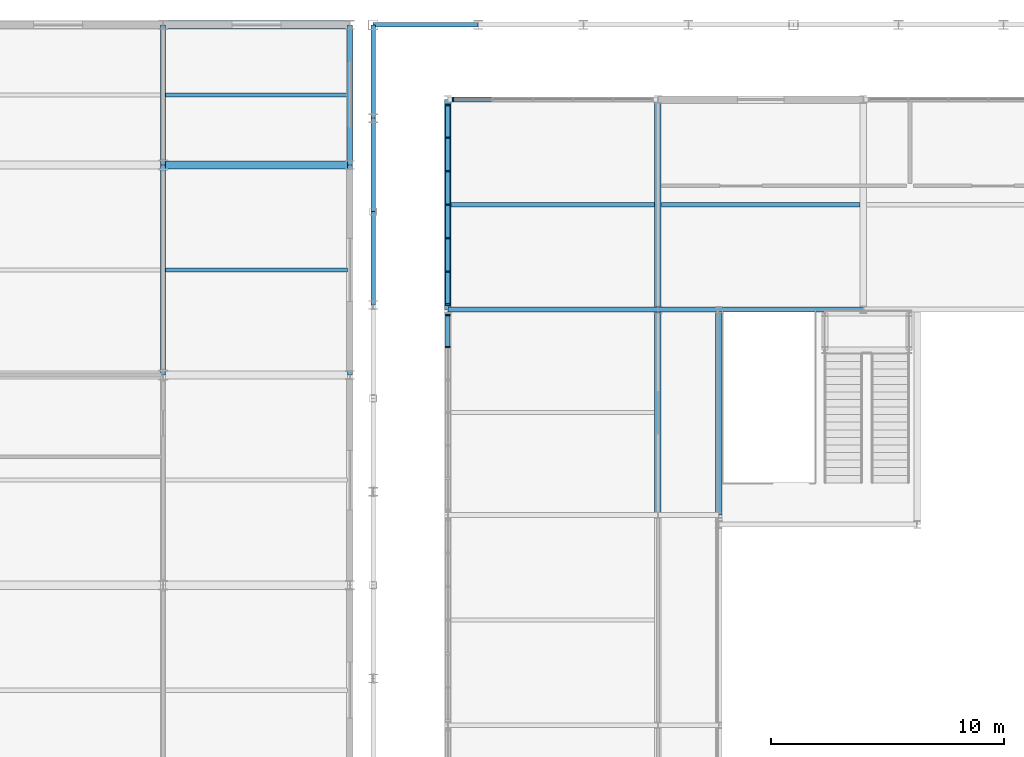
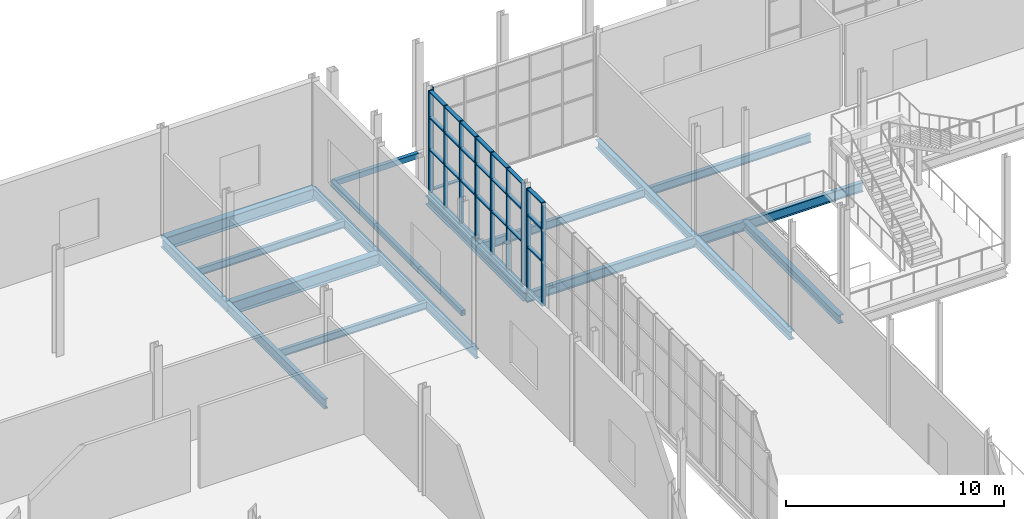
# One storey, part 58 of 159: 39 members, 20 beams, 3 elements without a shape of their own.
"""IFC4 building model written with IfcOpenShell, lengths in metres."""

from ifc_helpers import new_model, si_unit, direction, frame, origin, origin_2d, place, context, subcontext, project, spatial, rectangle, hollow_rectangle, i_section, extrude, material, layer, layer_set, material_profile, profile_set, type_object, element, aggregate, save


model = new_model("IFC4")

# Units and contexts
model_context = context("Model", 3, precision=1e-05, world=origin(), true_north=direction((0.0, 1.0)))
body_context = subcontext(model_context, "Body", "Model", "MODEL_VIEW")
ifc_project = project(units=[si_unit("LENGTHUNIT", "METRE"), si_unit("AREAUNIT", "SQUARE_METRE"), si_unit("VOLUMEUNIT", "CUBIC_METRE"), si_unit("PLANEANGLEUNIT", "RADIAN"), si_unit("MASSUNIT", "GRAM", prefix="KILO")], contexts=[model_context])

# Site, building, storey
site_placement = place(None, origin())
site = spatial("IfcSite", under=ifc_project, at=site_placement, CompositionType="ELEMENT")
building_placement = place(site_placement, origin())
building = spatial("IfcBuilding", under=site, at=building_placement, Name="Cazmaro Siding Exhibition Halls", CompositionType="ELEMENT")
storey_placement = place(building_placement, frame((0.0, 0.0, 6.0)))
storey = spatial("IfcBuildingStorey", under=building, at=storey_placement, Name="L01", CompositionType="ELEMENT", Elevation=6.0)

# Beams
ifc_material_1 = material(Name="Steel ASTM A992 Grade 50", Category="steel")
ifc_material_profile_1 = material_profile(ifc_material_1, i_section(OverallWidth=0.214111328125, OverallDepth=0.549072265625, WebThickness=0.014892578125, FlangeThickness=0.02392578125, at=origin_2d()), Name="W21X93")
ifc_profile_set_1 = profile_set([ifc_material_profile_1], Name="Steel ASTM A992 Grade 50")
beam_type_1 = type_object("IfcBeamType", Name="B-01", PredefinedType="BEAM", material=ifc_profile_set_1)
beam_1_placement = place(storey_placement, frame((36.0, 109.0, -0.493896484375), z_axis=(0.0, 1.0, 0.0), x_axis=(-1.0, 0.0, 0.0)))
element("IfcBeam", 1, at=beam_1_placement, inside=storey, type_object=beam_type_1, Name="Beam B-01 BM-2032", PredefinedType="BEAM", context=body_context, shape_type="SweptSolid", body=[
    extrude(i_section(OverallWidth=0.214111328125, OverallDepth=0.549072265625, WebThickness=0.014892578125, FlangeThickness=0.02392578125, at=origin_2d()), origin(), (0.0, 0.0, 1.0), 9.0),
])
beam_2_placement = place(storey_placement, frame((36.0, 118.0, -0.493896484375), z_axis=(0.0, 1.0, 0.0), x_axis=(-1.0, 0.0, 0.0)))
element("IfcBeam", 2, at=beam_2_placement, inside=storey, type_object=beam_type_1, Name="Beam B-01 BM-2033", PredefinedType="BEAM", context=body_context, shape_type="SweptSolid", body=[
    extrude(i_section(OverallWidth=0.214111328125, OverallDepth=0.549072265625, WebThickness=0.014892578125, FlangeThickness=0.02392578125, at=origin_2d()), origin(), (0.0, 0.0, 1.0), 6.0),
])
ifc_material_2 = material(Name="Steel ASTM A992 Grade 50", Category="steel")
ifc_material_profile_2 = material_profile(ifc_material_2, i_section(OverallWidth=0.2099609375, OverallDepth=0.535888671875, WebThickness=0.010986328125, FlangeThickness=0.01708984375, at=origin_2d()), Name="W21X68")
ifc_profile_set_2 = profile_set([ifc_material_profile_2], Name="Steel ASTM A992 Grade 50")
beam_type_2 = type_object("IfcBeamType", Name="B-02", PredefinedType="BEAM", material=ifc_profile_set_2)
beam_3_placement = place(storey_placement, frame((48.199951171875, 111.800048828125, -0.488037109375), z_axis=(1.0, 0.0, 0.0), x_axis=(0.0, 1.0, 0.0)))
element("IfcBeam", 3, at=beam_3_placement, inside=storey, type_object=beam_type_2, Name="Beam B-02 BM-0261", PredefinedType="BEAM", context=body_context, shape_type="SweptSolid", body=[
    extrude(i_section(OverallWidth=0.2099609375, OverallDepth=0.535888671875, WebThickness=0.010986328125, FlangeThickness=0.01708984375, at=origin_2d()), origin(), (0.0, 0.0, 1.0), 9.0),
])
beam_4_placement = place(storey_placement, frame((57.199951171875, 111.800048828125, -0.488037109375), z_axis=(1.0, 0.0, 0.0), x_axis=(0.0, 1.0, 0.0)))
element("IfcBeam", 4, at=beam_4_placement, inside=storey, type_object=beam_type_2, Name="Beam B-02 BM-0264", PredefinedType="BEAM", context=body_context, shape_type="SweptSolid", body=[
    extrude(i_section(OverallWidth=0.2099609375, OverallDepth=0.535888671875, WebThickness=0.010986328125, FlangeThickness=0.01708984375, at=origin_2d()), origin(), (0.0, 0.0, 1.0), 8.800048828125),
])
beam_5_placement = place(storey_placement, frame((44.0, 109.0, -0.488037109375), z_axis=(0.0, 1.0, 0.0), x_axis=(-1.0, 0.0, 0.0)))
element("IfcBeam", 5, at=beam_5_placement, inside=storey, type_object=beam_type_2, Name="Beam B-02 BM-2046", PredefinedType="BEAM", context=body_context, shape_type="SweptSolid", body=[
    extrude(i_section(OverallWidth=0.2099609375, OverallDepth=0.535888671875, WebThickness=0.010986328125, FlangeThickness=0.01708984375, at=origin_2d()), origin(), (0.0, 0.0, 1.0), 9.0),
])
beam_6_placement = place(storey_placement, frame((44.0, 118.0, -0.488037109375), z_axis=(0.0, 1.0, 0.0), x_axis=(-1.0, 0.0, 0.0)))
element("IfcBeam", 6, at=beam_6_placement, inside=storey, type_object=beam_type_2, Name="Beam B-02 BM-2048", PredefinedType="BEAM", context=body_context, shape_type="SweptSolid", body=[
    extrude(i_section(OverallWidth=0.2099609375, OverallDepth=0.535888671875, WebThickness=0.010986328125, FlangeThickness=0.01708984375, at=origin_2d()), origin(), (0.0, 0.0, 1.0), 6.0),
])
ifc_material_3 = material(Name="Steel ASTM A992 Grade 50", Category="steel")
ifc_material_profile_3 = material_profile(ifc_material_3, i_section(OverallWidth=0.279052734375, OverallDepth=0.4619140625, WebThickness=0.010986328125, FlangeThickness=0.01708984375, at=origin_2d()), Name="W18X76")
ifc_profile_set_3 = profile_set([ifc_material_profile_3], Name="Steel ASTM A992 Grade 50")
beam_type_3 = type_object("IfcBeamType", Name="B-03", PredefinedType="BEAM", material=ifc_profile_set_3)
for number, where, z_axis, x_axis, name in (
    (7, (48.199951171875, 111.800048828125, -0.450927734375), (0.0, 1.0, 0.0), (-1.0, 0.0, 0.0), "Beam B-03 BM-0300"),
    (8, (57.199951171875, 111.800048828125, -0.450927734375), (0.0, 1.0, 0.0), (-1.0, 0.0, 0.0), "Beam B-03 BM-0301"),
):
    element("IfcBeam", number, at=place(storey_placement, frame(where, z_axis=z_axis, x_axis=x_axis)), inside=storey, type_object=beam_type_3, Name=name, PredefinedType="BEAM", context=body_context, shape_type="SweptSolid", body=[
        extrude(i_section(OverallWidth=0.279052734375, OverallDepth=0.4619140625, WebThickness=0.010986328125, FlangeThickness=0.01708984375, at=origin_2d()), origin(), (0.0, 0.0, 1.0), 9.0),
    ])
for number, where, z_axis, x_axis, name in (
    (9, (57.199951171875, 103.0, -0.450927734375), (0.0, 1.0, 0.0), (-1.0, 0.0, 0.0), "Beam B-03 BM-0362"),
    (10, (59.800048828125, 103.0, -0.450927734375), (0.0, 1.0, 0.0), (-1.0, 0.0, 0.0), "Beam B-03 BM-2507"),
):
    element("IfcBeam", number, at=place(storey_placement, frame(where, z_axis=z_axis, x_axis=x_axis)), inside=storey, type_object=beam_type_3, Name=name, PredefinedType="BEAM", context=body_context, shape_type="SweptSolid", body=[
        extrude(i_section(OverallWidth=0.279052734375, OverallDepth=0.4619140625, WebThickness=0.010986328125, FlangeThickness=0.01708984375, at=origin_2d()), origin(), (0.0, 0.0, 1.0), 8.800048828125),
    ])

# Curtain wall, member
ifc_material_4 = material(Name="Anodized Bronze Aluminum and Solar-Control Low-E Glazing", Category="aluminium")
ifc_layer_1 = layer(ifc_material_4, 0.199951171875)
ifc_layer_set_1 = layer_set([ifc_layer_1], Name="Anodized Bronze Aluminum and Solar-Control Low-E Glazing")
curtain_wall_type_1 = type_object("IfcCurtainWallType", Name="CWS-02", PredefinedType="USERDEFINED", material=ifc_layer_set_1)
curtain_wall_1_placement = place(storey_placement, origin())
curtain_wall_1 = element("IfcCurtainWall", 11, at=curtain_wall_1_placement, inside=storey, type_object=curtain_wall_type_1, Name="Glazed Curtain Wall CWS-02 CW-001", ObjectType="GLAZED CURTAIN WALL", PredefinedType="USERDEFINED")
ifc_material_5 = material(Name="Anodized Bronze Extruded Aluminum", Category="aluminium")
ifc_material_profile_4 = material_profile(ifc_material_5, rectangle(XDim=0.199951171875, YDim=0.06494140625, at=origin_2d()), Name="CWM-02")
ifc_profile_set_4 = profile_set([ifc_material_profile_4], Name="Anodized Bronze Extruded Aluminum")
member_type_1 = type_object("IfcMemberType", Name="CWM-02", PredefinedType="MULLION", material=ifc_profile_set_4)
member_1_placement = place(storey_placement, frame((48.429443359375, 120.800048828125, 0.0), z_axis=(0.0, 0.0, 1.0), x_axis=(0.0, -1.0, 0.0)))
member_1 = element("IfcMember", 12, at=member_1_placement, type_object=member_type_1, Name="CWS-02 mullion 6", PredefinedType="MULLION", context=body_context, shape_type="SweptSolid", body=[
    extrude(rectangle(XDim=0.199951171875, YDim=0.06494140625, at=origin_2d()), origin(), (0.0, 0.0, 1.0), 5.780029296875),
])

# Curtain wall, members
ifc_material_6 = material(Name="Anodized Bronze Aluminum and Solar-Control Low-E Glazing", Category="aluminium")
ifc_layer_2 = layer(ifc_material_6, 0.219970703125)
ifc_layer_set_2 = layer_set([ifc_layer_2], Name="Anodized Bronze Aluminum and Solar-Control Low-E Glazing")
curtain_wall_type_2 = type_object("IfcCurtainWallType", Name="CWS-03", PredefinedType="USERDEFINED", material=ifc_layer_set_2)
curtain_wall_2_placement = place(storey_placement, origin())
curtain_wall_2 = element("IfcCurtainWall", 13, at=curtain_wall_2_placement, inside=storey, type_object=curtain_wall_type_2, Name="Glazed Curtain Wall CWS-03 CW-060", ObjectType="GLAZED CURTAIN WALL", PredefinedType="USERDEFINED")
ifc_material_7 = material(Name="Anodized Bronze Extruded Aluminum", Category="aluminium")
ifc_material_profile_5 = material_profile(ifc_material_7, rectangle(XDim=0.219970703125, YDim=0.070068359375, at=origin_2d()), Name="CWM-03")
ifc_profile_set_5 = profile_set([ifc_material_profile_5], Name="Anodized Bronze Extruded Aluminum")
member_type_2 = type_object("IfcMemberType", Name="CWM-03", PredefinedType="MULLION", material=ifc_profile_set_5)
member_2_placement = place(storey_placement, frame((48.199951171875, 111.56689453125, 0.0), z_axis=(0.0, 0.0, 1.0), x_axis=(1.0, 0.0, 0.0)))
member_2 = element("IfcMember", 14, at=member_2_placement, type_object=member_type_2, Name="CWS-03 mullion 1", PredefinedType="MULLION", context=body_context, shape_type="SweptSolid", body=[
    extrude(rectangle(XDim=0.219970703125, YDim=0.070068359375, at=origin_2d()), origin(), (0.0, 0.0, 1.0), 5.780029296875),
])
member_3_placement = place(storey_placement, frame((48.199951171875, 110.19775390625, 0.0), z_axis=(0.0, 0.0, 1.0), x_axis=(1.0, 0.0, 0.0)))
member_3 = element("IfcMember", 15, at=member_3_placement, type_object=member_type_2, Name="CWS-03 mullion 2", PredefinedType="MULLION", context=body_context, shape_type="SweptSolid", body=[
    extrude(rectangle(XDim=0.219970703125, YDim=0.070068359375, at=origin_2d()), origin(), (0.0, 0.0, 1.0), 5.780029296875),
])

curtain_wall_3_placement = place(storey_placement, origin())
curtain_wall_3 = element("IfcCurtainWall", 16, at=curtain_wall_3_placement, inside=storey, type_object=curtain_wall_type_2, Name="Glazed Curtain Wall CWS-03 CW-063", ObjectType="GLAZED CURTAIN WALL", PredefinedType="USERDEFINED")
member_4_placement = place(storey_placement, frame((48.199951171875, 120.56689453125, 0.0), z_axis=(0.0, 0.0, 1.0), x_axis=(1.0, 0.0, 0.0)))
member_4 = element("IfcMember", 17, at=member_4_placement, type_object=member_type_2, Name="CWS-03 mullion 1", PredefinedType="MULLION", context=body_context, shape_type="SweptSolid", body=[
    extrude(rectangle(XDim=0.219970703125, YDim=0.070068359375, at=origin_2d()), origin(), (0.0, 0.0, 1.0), 5.780029296875),
])
member_5_placement = place(storey_placement, frame((48.199951171875, 119.16796875, 0.0), z_axis=(0.0, 0.0, 1.0), x_axis=(1.0, 0.0, 0.0)))
member_5 = element("IfcMember", 18, at=member_5_placement, type_object=member_type_2, Name="CWS-03 mullion 2", PredefinedType="MULLION", context=body_context, shape_type="SweptSolid", body=[
    extrude(rectangle(XDim=0.219970703125, YDim=0.070068359375, at=origin_2d()), origin(), (0.0, 0.0, 1.0), 5.780029296875),
])
member_6_placement = place(storey_placement, frame((48.199951171875, 117.73388671875, 0.0), z_axis=(0.0, 0.0, 1.0), x_axis=(1.0, 0.0, 0.0)))
member_6 = element("IfcMember", 19, at=member_6_placement, type_object=member_type_2, Name="CWS-03 mullion 3", PredefinedType="MULLION", context=body_context, shape_type="SweptSolid", body=[
    extrude(rectangle(XDim=0.219970703125, YDim=0.070068359375, at=origin_2d()), origin(), (0.0, 0.0, 1.0), 5.780029296875),
])
member_7_placement = place(storey_placement, frame((48.199951171875, 116.300048828125, 0.0), z_axis=(0.0, 0.0, 1.0), x_axis=(1.0, 0.0, 0.0)))
member_7 = element("IfcMember", 20, at=member_7_placement, type_object=member_type_2, Name="CWS-03 mullion 4", PredefinedType="MULLION", context=body_context, shape_type="SweptSolid", body=[
    extrude(rectangle(XDim=0.219970703125, YDim=0.070068359375, at=origin_2d()), origin(), (0.0, 0.0, 1.0), 5.780029296875),
])
member_8_placement = place(storey_placement, frame((48.199951171875, 114.865966796875, 0.0), z_axis=(0.0, 0.0, 1.0), x_axis=(1.0, 0.0, 0.0)))
member_8 = element("IfcMember", 21, at=member_8_placement, type_object=member_type_2, Name="CWS-03 mullion 5", PredefinedType="MULLION", context=body_context, shape_type="SweptSolid", body=[
    extrude(rectangle(XDim=0.219970703125, YDim=0.070068359375, at=origin_2d()), origin(), (0.0, 0.0, 1.0), 5.780029296875),
])
member_9_placement = place(storey_placement, frame((48.199951171875, 113.431884765625, 0.0), z_axis=(0.0, 0.0, 1.0), x_axis=(1.0, 0.0, 0.0)))
member_9 = element("IfcMember", 22, at=member_9_placement, type_object=member_type_2, Name="CWS-03 mullion 6", PredefinedType="MULLION", context=body_context, shape_type="SweptSolid", body=[
    extrude(rectangle(XDim=0.219970703125, YDim=0.070068359375, at=origin_2d()), origin(), (0.0, 0.0, 1.0), 5.780029296875),
])
member_10_placement = place(storey_placement, frame((48.199951171875, 112.032958984375, 0.0), z_axis=(0.0, 0.0, 1.0), x_axis=(1.0, 0.0, 0.0)))
member_10 = element("IfcMember", 23, at=member_10_placement, type_object=member_type_2, Name="CWS-03 mullion 7", PredefinedType="MULLION", context=body_context, shape_type="SweptSolid", body=[
    extrude(rectangle(XDim=0.219970703125, YDim=0.070068359375, at=origin_2d()), origin(), (0.0, 0.0, 1.0), 5.780029296875),
])

# Member
ifc_material_8 = material(Name="Anodized Bronze Extruded Aluminum", Category="aluminium")
ifc_material_profile_6 = material_profile(ifc_material_8, rectangle(XDim=0.179931640625, YDim=0.06494140625, at=origin_2d()), Name="CWT-02")
ifc_profile_set_6 = profile_set([ifc_material_profile_6], Name="Anodized Bronze Extruded Aluminum")
member_type_3 = type_object("IfcMemberType", Name="CWT-02", PredefinedType="MULLION", material=ifc_profile_set_6)
member_11_placement = place(storey_placement, frame((50.085693359375, 120.800048828125, 0.032470703125), z_axis=(-1.0, 0.0, 0.0), x_axis=(0.0, -1.0, 0.0)))
member_11 = element("IfcMember", 24, at=member_11_placement, type_object=member_type_3, Name="CWS-02 transom 5.1", ObjectType="TRANSOM", PredefinedType="USERDEFINED", context=body_context, shape_type="SweptSolid", body=[
    extrude(rectangle(XDim=0.179931640625, YDim=0.06494140625, at=origin_2d()), origin(), (0.0, 0.0, 1.0), 1.623779296875),
])

aggregate(curtain_wall_1, [member_1, member_11])

ifc_material_9 = material(Name="Anodized Bronze Extruded Aluminum", Category="aluminium")
ifc_material_profile_7 = material_profile(ifc_material_9, rectangle(XDim=0.199951171875, YDim=0.070068359375, at=origin_2d()), Name="CWT-03")
ifc_profile_set_7 = profile_set([ifc_material_profile_7], Name="Anodized Bronze Extruded Aluminum")
member_type_4 = type_object("IfcMemberType", Name="CWT-03", PredefinedType="MULLION", material=ifc_profile_set_7)
member_12_placement = place(storey_placement, frame((48.199951171875, 111.531982421875, 0.034912109375), z_axis=(0.0, -1.0, 0.0), x_axis=(1.0, 0.0, 0.0)))
member_12 = element("IfcMember", 25, at=member_12_placement, type_object=member_type_4, Name="CWS-03 transom 1.1", ObjectType="TRANSOM", PredefinedType="USERDEFINED", context=body_context, shape_type="SweptSolid", body=[
    extrude(rectangle(XDim=0.199951171875, YDim=0.070068359375, at=origin_2d()), origin(), (0.0, 0.0, 1.0), 1.299072265625),
])

member_13_placement = place(storey_placement, frame((48.199951171875, 111.531982421875, 2.5), z_axis=(0.0, -1.0, 0.0), x_axis=(1.0, 0.0, 0.0)))
member_13 = element("IfcMember", 26, at=member_13_placement, type_object=member_type_4, Name="CWS-03 transom 1.2", ObjectType="TRANSOM", PredefinedType="USERDEFINED", context=body_context, shape_type="SweptSolid", body=[
    extrude(rectangle(XDim=0.199951171875, YDim=0.070068359375, at=origin_2d()), origin(), (0.0, 0.0, 1.0), 1.299072265625),
])

member_14_placement = place(storey_placement, frame((48.199951171875, 111.531982421875, 4.300048828125), z_axis=(0.0, -1.0, 0.0), x_axis=(1.0, 0.0, 0.0)))
member_14 = element("IfcMember", 27, at=member_14_placement, type_object=member_type_4, Name="CWS-03 transom 1.3", ObjectType="TRANSOM", PredefinedType="USERDEFINED", context=body_context, shape_type="SweptSolid", body=[
    extrude(rectangle(XDim=0.199951171875, YDim=0.070068359375, at=origin_2d()), origin(), (0.0, 0.0, 1.0), 1.299072265625),
])

member_15_placement = place(storey_placement, frame((48.199951171875, 111.531982421875, 5.7451171875), z_axis=(0.0, -1.0, 0.0), x_axis=(1.0, 0.0, 0.0)))
member_15 = element("IfcMember", 28, at=member_15_placement, type_object=member_type_4, Name="CWS-03 transom 1.4", ObjectType="TRANSOM", PredefinedType="USERDEFINED", context=body_context, shape_type="SweptSolid", body=[
    extrude(rectangle(XDim=0.199951171875, YDim=0.070068359375, at=origin_2d()), origin(), (0.0, 0.0, 1.0), 1.299072265625),
])

aggregate(curtain_wall_2, [member_2, member_3, member_12, member_13, member_14, member_15])

member_16_placement = place(storey_placement, frame((48.199951171875, 120.531982421875, 0.034912109375), z_axis=(0.0, -1.0, 0.0), x_axis=(1.0, 0.0, 0.0)))
member_16 = element("IfcMember", 29, at=member_16_placement, type_object=member_type_4, Name="CWS-03 transom 1.1", ObjectType="TRANSOM", PredefinedType="USERDEFINED", context=body_context, shape_type="SweptSolid", body=[
    extrude(rectangle(XDim=0.199951171875, YDim=0.070068359375, at=origin_2d()), origin(), (0.0, 0.0, 1.0), 1.3291015625),
])

member_17_placement = place(storey_placement, frame((48.199951171875, 120.531982421875, 2.5), z_axis=(0.0, -1.0, 0.0), x_axis=(1.0, 0.0, 0.0)))
member_17 = element("IfcMember", 30, at=member_17_placement, type_object=member_type_4, Name="CWS-03 transom 1.2", ObjectType="TRANSOM", PredefinedType="USERDEFINED", context=body_context, shape_type="SweptSolid", body=[
    extrude(rectangle(XDim=0.199951171875, YDim=0.070068359375, at=origin_2d()), origin(), (0.0, 0.0, 1.0), 1.3291015625),
])

member_18_placement = place(storey_placement, frame((48.199951171875, 120.531982421875, 4.300048828125), z_axis=(0.0, -1.0, 0.0), x_axis=(1.0, 0.0, 0.0)))
member_18 = element("IfcMember", 31, at=member_18_placement, type_object=member_type_4, Name="CWS-03 transom 1.3", ObjectType="TRANSOM", PredefinedType="USERDEFINED", context=body_context, shape_type="SweptSolid", body=[
    extrude(rectangle(XDim=0.199951171875, YDim=0.070068359375, at=origin_2d()), origin(), (0.0, 0.0, 1.0), 1.3291015625),
])

member_19_placement = place(storey_placement, frame((48.199951171875, 120.531982421875, 5.7451171875), z_axis=(0.0, -1.0, 0.0), x_axis=(1.0, 0.0, 0.0)))
member_19 = element("IfcMember", 32, at=member_19_placement, type_object=member_type_4, Name="CWS-03 transom 1.4", ObjectType="TRANSOM", PredefinedType="USERDEFINED", context=body_context, shape_type="SweptSolid", body=[
    extrude(rectangle(XDim=0.199951171875, YDim=0.070068359375, at=origin_2d()), origin(), (0.0, 0.0, 1.0), 1.3291015625),
])

member_20_placement = place(storey_placement, frame((48.199951171875, 119.133056640625, 0.034912109375), z_axis=(0.0, -1.0, 0.0), x_axis=(1.0, 0.0, 0.0)))
member_20 = element("IfcMember", 33, at=member_20_placement, type_object=member_type_4, Name="CWS-03 transom 2.1", ObjectType="TRANSOM", PredefinedType="USERDEFINED", context=body_context, shape_type="SweptSolid", body=[
    extrude(rectangle(XDim=0.199951171875, YDim=0.070068359375, at=origin_2d()), origin(), (0.0, 0.0, 1.0), 1.364013671875),
])

member_21_placement = place(storey_placement, frame((48.199951171875, 119.133056640625, 2.5), z_axis=(0.0, -1.0, 0.0), x_axis=(1.0, 0.0, 0.0)))
member_21 = element("IfcMember", 34, at=member_21_placement, type_object=member_type_4, Name="CWS-03 transom 2.2", ObjectType="TRANSOM", PredefinedType="USERDEFINED", context=body_context, shape_type="SweptSolid", body=[
    extrude(rectangle(XDim=0.199951171875, YDim=0.070068359375, at=origin_2d()), origin(), (0.0, 0.0, 1.0), 1.364013671875),
])

member_22_placement = place(storey_placement, frame((48.199951171875, 119.133056640625, 4.300048828125), z_axis=(0.0, -1.0, 0.0), x_axis=(1.0, 0.0, 0.0)))
member_22 = element("IfcMember", 35, at=member_22_placement, type_object=member_type_4, Name="CWS-03 transom 2.3", ObjectType="TRANSOM", PredefinedType="USERDEFINED", context=body_context, shape_type="SweptSolid", body=[
    extrude(rectangle(XDim=0.199951171875, YDim=0.070068359375, at=origin_2d()), origin(), (0.0, 0.0, 1.0), 1.364013671875),
])

member_23_placement = place(storey_placement, frame((48.199951171875, 119.133056640625, 5.7451171875), z_axis=(0.0, -1.0, 0.0), x_axis=(1.0, 0.0, 0.0)))
member_23 = element("IfcMember", 36, at=member_23_placement, type_object=member_type_4, Name="CWS-03 transom 2.4", ObjectType="TRANSOM", PredefinedType="USERDEFINED", context=body_context, shape_type="SweptSolid", body=[
    extrude(rectangle(XDim=0.199951171875, YDim=0.070068359375, at=origin_2d()), origin(), (0.0, 0.0, 1.0), 1.364013671875),
])

member_24_placement = place(storey_placement, frame((48.199951171875, 117.698974609375, 0.034912109375), z_axis=(0.0, -1.0, 0.0), x_axis=(1.0, 0.0, 0.0)))
member_24 = element("IfcMember", 37, at=member_24_placement, type_object=member_type_4, Name="CWS-03 transom 3.1", ObjectType="TRANSOM", PredefinedType="USERDEFINED", context=body_context, shape_type="SweptSolid", body=[
    extrude(rectangle(XDim=0.199951171875, YDim=0.070068359375, at=origin_2d()), origin(), (0.0, 0.0, 1.0), 1.364013671875),
])

member_25_placement = place(storey_placement, frame((48.199951171875, 117.698974609375, 2.5), z_axis=(0.0, -1.0, 0.0), x_axis=(1.0, 0.0, 0.0)))
member_25 = element("IfcMember", 38, at=member_25_placement, type_object=member_type_4, Name="CWS-03 transom 3.2", ObjectType="TRANSOM", PredefinedType="USERDEFINED", context=body_context, shape_type="SweptSolid", body=[
    extrude(rectangle(XDim=0.199951171875, YDim=0.070068359375, at=origin_2d()), origin(), (0.0, 0.0, 1.0), 1.364013671875),
])

member_26_placement = place(storey_placement, frame((48.199951171875, 117.698974609375, 4.300048828125), z_axis=(0.0, -1.0, 0.0), x_axis=(1.0, 0.0, 0.0)))
member_26 = element("IfcMember", 39, at=member_26_placement, type_object=member_type_4, Name="CWS-03 transom 3.3", ObjectType="TRANSOM", PredefinedType="USERDEFINED", context=body_context, shape_type="SweptSolid", body=[
    extrude(rectangle(XDim=0.199951171875, YDim=0.070068359375, at=origin_2d()), origin(), (0.0, 0.0, 1.0), 1.364013671875),
])

member_27_placement = place(storey_placement, frame((48.199951171875, 117.698974609375, 5.7451171875), z_axis=(0.0, -1.0, 0.0), x_axis=(1.0, 0.0, 0.0)))
member_27 = element("IfcMember", 40, at=member_27_placement, type_object=member_type_4, Name="CWS-03 transom 3.4", ObjectType="TRANSOM", PredefinedType="USERDEFINED", context=body_context, shape_type="SweptSolid", body=[
    extrude(rectangle(XDim=0.199951171875, YDim=0.070068359375, at=origin_2d()), origin(), (0.0, 0.0, 1.0), 1.364013671875),
])

member_28_placement = place(storey_placement, frame((48.199951171875, 116.264892578125, 0.034912109375), z_axis=(0.0, -1.0, 0.0), x_axis=(1.0, 0.0, 0.0)))
member_28 = element("IfcMember", 41, at=member_28_placement, type_object=member_type_4, Name="CWS-03 transom 4.1", ObjectType="TRANSOM", PredefinedType="USERDEFINED", context=body_context, shape_type="SweptSolid", body=[
    extrude(rectangle(XDim=0.199951171875, YDim=0.070068359375, at=origin_2d()), origin(), (0.0, 0.0, 1.0), 1.364013671875),
])

member_29_placement = place(storey_placement, frame((48.199951171875, 116.264892578125, 2.5), z_axis=(0.0, -1.0, 0.0), x_axis=(1.0, 0.0, 0.0)))
member_29 = element("IfcMember", 42, at=member_29_placement, type_object=member_type_4, Name="CWS-03 transom 4.2", ObjectType="TRANSOM", PredefinedType="USERDEFINED", context=body_context, shape_type="SweptSolid", body=[
    extrude(rectangle(XDim=0.199951171875, YDim=0.070068359375, at=origin_2d()), origin(), (0.0, 0.0, 1.0), 1.364013671875),
])

member_30_placement = place(storey_placement, frame((48.199951171875, 116.264892578125, 4.300048828125), z_axis=(0.0, -1.0, 0.0), x_axis=(1.0, 0.0, 0.0)))
member_30 = element("IfcMember", 43, at=member_30_placement, type_object=member_type_4, Name="CWS-03 transom 4.3", ObjectType="TRANSOM", PredefinedType="USERDEFINED", context=body_context, shape_type="SweptSolid", body=[
    extrude(rectangle(XDim=0.199951171875, YDim=0.070068359375, at=origin_2d()), origin(), (0.0, 0.0, 1.0), 1.364013671875),
])

member_31_placement = place(storey_placement, frame((48.199951171875, 116.264892578125, 5.7451171875), z_axis=(0.0, -1.0, 0.0), x_axis=(1.0, 0.0, 0.0)))
member_31 = element("IfcMember", 44, at=member_31_placement, type_object=member_type_4, Name="CWS-03 transom 4.4", ObjectType="TRANSOM", PredefinedType="USERDEFINED", context=body_context, shape_type="SweptSolid", body=[
    extrude(rectangle(XDim=0.199951171875, YDim=0.070068359375, at=origin_2d()), origin(), (0.0, 0.0, 1.0), 1.364013671875),
])

member_32_placement = place(storey_placement, frame((48.199951171875, 114.8310546875, 0.034912109375), z_axis=(0.0, -1.0, 0.0), x_axis=(1.0, 0.0, 0.0)))
member_32 = element("IfcMember", 45, at=member_32_placement, type_object=member_type_4, Name="CWS-03 transom 5.1", ObjectType="TRANSOM", PredefinedType="USERDEFINED", context=body_context, shape_type="SweptSolid", body=[
    extrude(rectangle(XDim=0.199951171875, YDim=0.070068359375, at=origin_2d()), origin(), (0.0, 0.0, 1.0), 1.364013671875),
])

member_33_placement = place(storey_placement, frame((48.199951171875, 114.8310546875, 2.5), z_axis=(0.0, -1.0, 0.0), x_axis=(1.0, 0.0, 0.0)))
member_33 = element("IfcMember", 46, at=member_33_placement, type_object=member_type_4, Name="CWS-03 transom 5.2", ObjectType="TRANSOM", PredefinedType="USERDEFINED", context=body_context, shape_type="SweptSolid", body=[
    extrude(rectangle(XDim=0.199951171875, YDim=0.070068359375, at=origin_2d()), origin(), (0.0, 0.0, 1.0), 1.364013671875),
])

member_34_placement = place(storey_placement, frame((48.199951171875, 114.8310546875, 4.300048828125), z_axis=(0.0, -1.0, 0.0), x_axis=(1.0, 0.0, 0.0)))
member_34 = element("IfcMember", 47, at=member_34_placement, type_object=member_type_4, Name="CWS-03 transom 5.3", ObjectType="TRANSOM", PredefinedType="USERDEFINED", context=body_context, shape_type="SweptSolid", body=[
    extrude(rectangle(XDim=0.199951171875, YDim=0.070068359375, at=origin_2d()), origin(), (0.0, 0.0, 1.0), 1.364013671875),
])

member_35_placement = place(storey_placement, frame((48.199951171875, 114.8310546875, 5.7451171875), z_axis=(0.0, -1.0, 0.0), x_axis=(1.0, 0.0, 0.0)))
member_35 = element("IfcMember", 48, at=member_35_placement, type_object=member_type_4, Name="CWS-03 transom 5.4", ObjectType="TRANSOM", PredefinedType="USERDEFINED", context=body_context, shape_type="SweptSolid", body=[
    extrude(rectangle(XDim=0.199951171875, YDim=0.070068359375, at=origin_2d()), origin(), (0.0, 0.0, 1.0), 1.364013671875),
])

member_36_placement = place(storey_placement, frame((48.199951171875, 113.39697265625, 0.034912109375), z_axis=(0.0, -1.0, 0.0), x_axis=(1.0, 0.0, 0.0)))
member_36 = element("IfcMember", 49, at=member_36_placement, type_object=member_type_4, Name="CWS-03 transom 6.1", ObjectType="TRANSOM", PredefinedType="USERDEFINED", context=body_context, shape_type="SweptSolid", body=[
    extrude(rectangle(XDim=0.199951171875, YDim=0.070068359375, at=origin_2d()), origin(), (0.0, 0.0, 1.0), 1.328857421875),
])

member_37_placement = place(storey_placement, frame((48.199951171875, 113.39697265625, 2.5), z_axis=(0.0, -1.0, 0.0), x_axis=(1.0, 0.0, 0.0)))
member_37 = element("IfcMember", 50, at=member_37_placement, type_object=member_type_4, Name="CWS-03 transom 6.2", ObjectType="TRANSOM", PredefinedType="USERDEFINED", context=body_context, shape_type="SweptSolid", body=[
    extrude(rectangle(XDim=0.199951171875, YDim=0.070068359375, at=origin_2d()), origin(), (0.0, 0.0, 1.0), 1.328857421875),
])

member_38_placement = place(storey_placement, frame((48.199951171875, 113.39697265625, 4.300048828125), z_axis=(0.0, -1.0, 0.0), x_axis=(1.0, 0.0, 0.0)))
member_38 = element("IfcMember", 51, at=member_38_placement, type_object=member_type_4, Name="CWS-03 transom 6.3", ObjectType="TRANSOM", PredefinedType="USERDEFINED", context=body_context, shape_type="SweptSolid", body=[
    extrude(rectangle(XDim=0.199951171875, YDim=0.070068359375, at=origin_2d()), origin(), (0.0, 0.0, 1.0), 1.328857421875),
])

member_39_placement = place(storey_placement, frame((48.199951171875, 113.39697265625, 5.7451171875), z_axis=(0.0, -1.0, 0.0), x_axis=(1.0, 0.0, 0.0)))
member_39 = element("IfcMember", 52, at=member_39_placement, type_object=member_type_4, Name="CWS-03 transom 6.4", ObjectType="TRANSOM", PredefinedType="USERDEFINED", context=body_context, shape_type="SweptSolid", body=[
    extrude(rectangle(XDim=0.199951171875, YDim=0.070068359375, at=origin_2d()), origin(), (0.0, 0.0, 1.0), 1.328857421875),
])

aggregate(curtain_wall_3, [member_4, member_5, member_6, member_7, member_8, member_9, member_10, member_16, member_17, member_18, member_19, member_20, member_21, member_22, member_23, member_24, member_25, member_26, member_27, member_28, member_29, member_30, member_31, member_32, member_33, member_34, member_35, member_36, member_37, member_38, member_39])

# Beams
ifc_material_10 = material(Name="Steel ASTM A992 Grade 50", Category="steel")
ifc_material_profile_8 = material_profile(ifc_material_10, i_section(OverallWidth=0.35595703125, OverallDepth=0.696044921875, WebThickness=0.014892578125, FlangeThickness=0.02490234375, at=origin_2d()), Name="W27X146")
ifc_profile_set_8 = profile_set([ifc_material_profile_8], Name="Steel ASTM A992 Grade 50")
beam_type_4 = type_object("IfcBeamType", Name="G-05", PredefinedType="USERDEFINED", material=ifc_profile_set_8)
for number, where, z_axis, x_axis, name in (
    (53, (36.0, 118.0, -0.568115234375), (1.0, 0.0, 0.0), (0.0, 1.0, 0.0), "Beam G-05 BM-2038"),
    (54, (36.0, 124.0, -0.568115234375), (1.0, 0.0, 0.0), (0.0, 1.0, 0.0), "Beam G-05 BM-2039"),
):
    element("IfcBeam", number, at=place(storey_placement, frame(where, z_axis=z_axis, x_axis=x_axis)), inside=storey, type_object=beam_type_4, Name=name, ObjectType="GIRDER", PredefinedType="USERDEFINED", context=body_context, shape_type="SweptSolid", body=[
        extrude(i_section(OverallWidth=0.35595703125, OverallDepth=0.696044921875, WebThickness=0.014892578125, FlangeThickness=0.02490234375, at=origin_2d()), origin(), (0.0, 0.0, 1.0), 8.0),
    ])
ifc_material_11 = material(Name="Steel ASTM A992 Grade 50", Category="steel")
ifc_material_profile_9 = material_profile(ifc_material_11, i_section(OverallWidth=0.19091796875, OverallDepth=0.45703125, WebThickness=0.009033203125, FlangeThickness=0.013916015625, at=origin_2d()), Name="W18X50")
ifc_profile_set_9 = profile_set([ifc_material_profile_9], Name="Steel ASTM A992 Grade 50")
beam_type_5 = type_object("IfcBeamType", Name="J-01", PredefinedType="JOIST", material=ifc_profile_set_9)
beam_7_placement = place(storey_placement, frame((48.340087890625, 116.300048828125, -0.448974609375), z_axis=(1.0, 0.0, 0.0), x_axis=(0.0, 1.0, 0.0)))
element("IfcBeam", 55, at=beam_7_placement, inside=storey, type_object=beam_type_5, Name="Beam J-01 BM-0263", PredefinedType="JOIST", context=body_context, shape_type="SweptSolid", body=[
    extrude(i_section(OverallWidth=0.19091796875, OverallDepth=0.45703125, WebThickness=0.009033203125, FlangeThickness=0.013916015625, at=origin_2d()), origin(), (0.0, 0.0, 1.0), 8.719970703125),
])
beam_8_placement = place(storey_placement, frame((57.340087890625, 116.300048828125, -0.448974609375), z_axis=(1.0, 0.0, 0.0), x_axis=(0.0, 1.0, 0.0)))
element("IfcBeam", 56, at=beam_8_placement, inside=storey, type_object=beam_type_5, Name="Beam J-01 BM-0266", PredefinedType="JOIST", context=body_context, shape_type="SweptSolid", body=[
    extrude(i_section(OverallWidth=0.19091796875, OverallDepth=0.45703125, WebThickness=0.009033203125, FlangeThickness=0.013916015625, at=origin_2d()), origin(), (0.0, 0.0, 1.0), 8.52001953125),
])
ifc_material_12 = material(Name="Steel ASTM A992 Grade 50", Category="steel")
ifc_material_profile_10 = material_profile(ifc_material_12, i_section(OverallWidth=0.177978515625, OverallDepth=0.406005859375, WebThickness=0.008056640625, FlangeThickness=0.012939453125, at=origin_2d()), Name="W16X40")
ifc_profile_set_10 = profile_set([ifc_material_profile_10], Name="Steel ASTM A992 Grade 50")
beam_type_6 = type_object("IfcBeamType", Name="J-02", PredefinedType="JOIST", material=ifc_profile_set_10)
for number, where, z_axis, x_axis, name in (
    (57, (36.10693359375, 113.5, -0.423095703125), (1.0, 0.0, 0.0), (0.0, 1.0, 0.0), "Beam J-02 BM-2047"),
    (58, (36.10693359375, 121.0, -0.423095703125), (1.0, 0.0, 0.0), (0.0, 1.0, 0.0), "Beam J-02 BM-2049"),
):
    element("IfcBeam", number, at=place(storey_placement, frame(where, z_axis=z_axis, x_axis=x_axis)), inside=storey, type_object=beam_type_6, Name=name, PredefinedType="JOIST", context=body_context, shape_type="SweptSolid", body=[
        extrude(i_section(OverallWidth=0.177978515625, OverallDepth=0.406005859375, WebThickness=0.008056640625, FlangeThickness=0.012939453125, at=origin_2d()), origin(), (0.0, 0.0, 1.0), 7.7880859375),
    ])
ifc_material_13 = material(Name="Steel ASTM A500 Grade C", Category="steel")
ifc_material_profile_11 = material_profile(ifc_material_13, hollow_rectangle(XDim=0.202880859375, YDim=0.304931640625, WallThickness=0.011962890625, at=origin_2d()), Name="HSS12X8X1/2")
ifc_profile_set_11 = profile_set([ifc_material_profile_11], Name="Steel ASTM A500 Grade C")
beam_type_7 = type_object("IfcBeamType", Name="SP-01", PredefinedType="SPANDREL", material=ifc_profile_set_11)
for number, where, z_axis, x_axis, name in (
    (59, (45.0, 112.0, -0.3720703125), (0.0, 1.0, 0.0), (-1.0, 0.0, 0.0), "Beam SP-01 BM-0025"),
    (60, (45.0, 116.0, -0.3720703125), (0.0, 1.0, 0.0), (-1.0, 0.0, 0.0), "Beam SP-01 BM-0027"),
    (61, (45.0, 120.0, -0.3720703125), (0.0, 1.0, 0.0), (-1.0, 0.0, 0.0), "Beam SP-01 BM-0029"),
):
    element("IfcBeam", number, at=place(storey_placement, frame(where, z_axis=z_axis, x_axis=x_axis)), inside=storey, type_object=beam_type_7, Name=name, PredefinedType="SPANDREL", context=body_context, shape_type="SweptSolid", body=[
        extrude(hollow_rectangle(XDim=0.202880859375, YDim=0.304931640625, WallThickness=0.011962890625, at=origin_2d()), origin(), (0.0, 0.0, 1.0), 4.0),
    ])
beam_9_placement = place(storey_placement, frame((45.0, 124.0, -0.3720703125), z_axis=(1.0, 0.0, 0.0), x_axis=(0.0, 1.0, 0.0)))
element("IfcBeam", 62, at=beam_9_placement, inside=storey, type_object=beam_type_7, Name="Beam SP-01 BM-0064", PredefinedType="SPANDREL", context=body_context, shape_type="SweptSolid", body=[
    extrude(hollow_rectangle(XDim=0.202880859375, YDim=0.304931640625, WallThickness=0.011962890625, at=origin_2d()), origin(), (0.0, 0.0, 1.0), 4.5),
])

save(model, "model.ifc")
